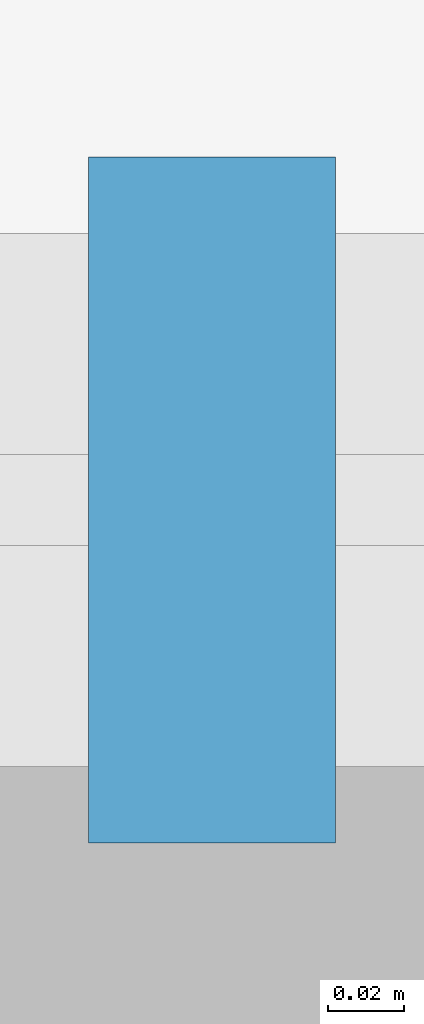
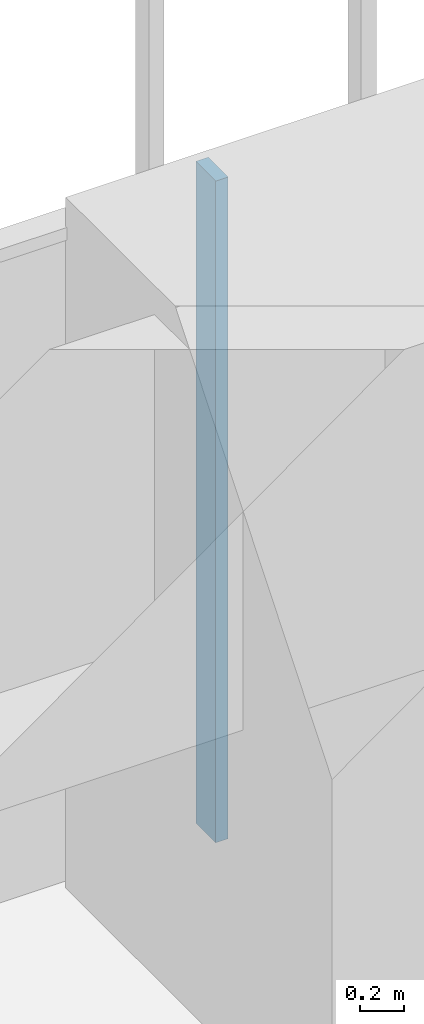
# One storey, part 173 of 256: 1 member, 1 element without a shape of its own.
"""IFC4 building model written with IfcOpenShell, lengths in metres."""

from ifc_helpers import new_model, si_unit, direction, frame, origin, origin_2d, place, context, subcontext, project, spatial, rectangle, extrude, material, material_profile, profile_set, type_object, element, aggregate, save


model = new_model("IFC4")

# Units and contexts
model_context = context("Model", 3, precision=1e-05, world=origin(), true_north=direction((0.0, 1.0)))
body_context = subcontext(model_context, "Body", "Model", "MODEL_VIEW")
ifc_project = project(units=[si_unit("LENGTHUNIT", "METRE"), si_unit("AREAUNIT", "SQUARE_METRE"), si_unit("VOLUMEUNIT", "CUBIC_METRE"), si_unit("PLANEANGLEUNIT", "RADIAN"), si_unit("MASSUNIT", "GRAM", prefix="KILO")], contexts=[model_context])

# Site, building, storey
site_placement = place(None, origin())
site = spatial("IfcSite", under=ifc_project, at=site_placement, CompositionType="ELEMENT")
building_placement = place(site_placement, origin())
building = spatial("IfcBuilding", under=site, at=building_placement, Name="Sandreach Pilgrim Tower", CompositionType="ELEMENT")
storey_placement = place(building_placement, frame((0.0, 0.0, 23.0)))
storey = spatial("IfcBuildingStorey", under=building, at=storey_placement, Name="L04", CompositionType="ELEMENT", Elevation=23.0)

# Curtain wall, member
ifc_material_1 = material(Name="Aluminium framed curtain wall", Category="aluminium")
curtain_wall_type = type_object("IfcCurtainWallType", Name="Hostel tower curtain wall", PredefinedType="NOTDEFINED", material=ifc_material_1)
curtain_wall_placement = place(storey_placement, origin())
curtain_wall = element("IfcCurtainWall", 1, at=curtain_wall_placement, inside=storey, type_object=curtain_wall_type, Name="CW-1 L04 N", PredefinedType="NOTDEFINED")
ifc_material_2 = material(Name="Aluminium extrusion", Category="aluminium")
ifc_material_profile = material_profile(ifc_material_2, rectangle(XDim=0.06494140625, YDim=0.179931640625, at=origin_2d()), Name="CW-1M 65X180")
ifc_profile_set = profile_set([ifc_material_profile], Name="Aluminium extrusion")
member_type = type_object("IfcMemberType", Name="CW-1 mullion", PredefinedType="MULLION", material=ifc_profile_set)
member_placement = place(storey_placement, frame((-10.928955078125, 23.94873046875, 0.0), z_axis=(0.0, 0.0, 1.0), x_axis=(1.0, 0.0, 0.0)))
member = element("IfcMember", 2, at=member_placement, type_object=member_type, Name="CW-1 mullion 3", PredefinedType="MULLION", context=body_context, shape_type="SweptSolid", body=[
    extrude(rectangle(XDim=0.06494140625, YDim=0.179931640625, at=origin_2d()), origin(), (0.0, 0.0, 1.0), 3.639892578125),
])
aggregate(curtain_wall, [member])

save(model, "model.ifc")
